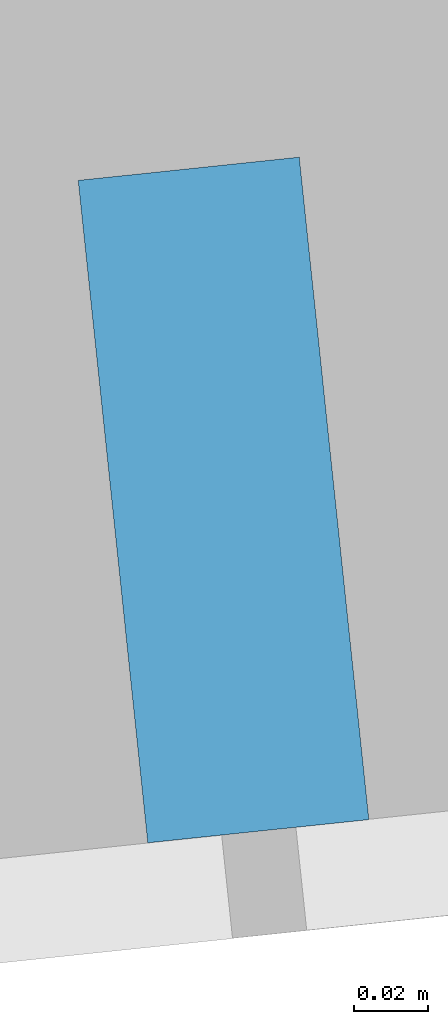
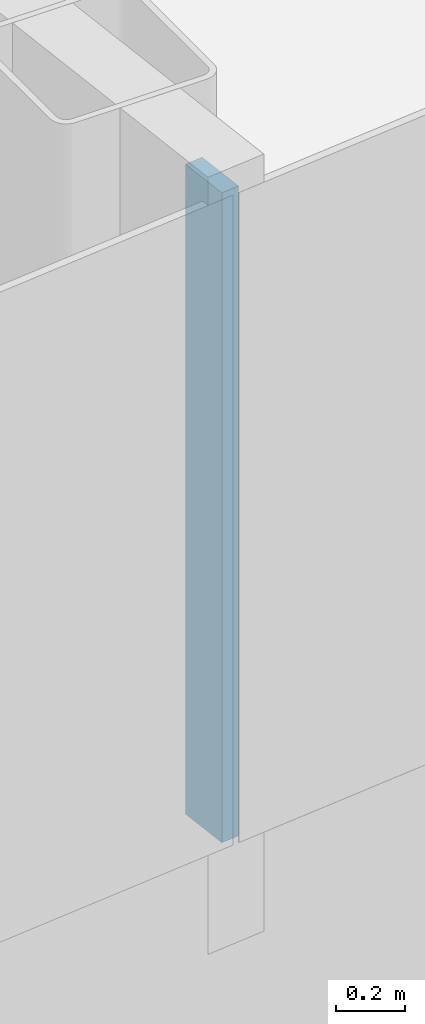
# One storey, part 5 of 27: 1 member, 1 element without a shape of its own.
"""IFC4 building model written with IfcOpenShell, lengths in metres."""

import ifcopenshell
import ifcopenshell.guid

model = None  # the IFC model being written
_history = None  # IfcOwnerHistory: only IFC2X3 demands one
_inside = {}  # id of a spatial element -> (the spatial element, [elements in it])
_under = {}  # id of a project, library or spatial element -> (it, [spatial elements below it])
_declared = {}  # id of a project -> (the project, [libraries it declares])
_typed = {}  # id of a type object -> (the type object, [elements of that type])
_made_of = {}  # id of a material, layer set ... -> (it, [elements and type objects made of it])


def new_model(schema):
    """Start an empty IFC model of exactly this schema.

    Asked for "IFC4X3", IfcOpenShell would pick the latest addendum, in which some entities
    have other attributes; the version numbers below select the first issue.
    IFC2X3 requires an IfcOwnerHistory on every rooted entity: one is made here for all.
    """
    global model, _history
    if schema == "IFC4X3":
        model = ifcopenshell.file(schema_version=(4, 3, 0, 0))
    else:
        model = ifcopenshell.file(schema=schema)
    _inside.clear()
    _under.clear()
    _declared.clear()
    _typed.clear()
    _made_of.clear()
    _history = None
    if model.schema == "IFC2X3":
        org = make("IfcOrganization", Name="unknown")
        user = make(
            "IfcPersonAndOrganization",
            ThePerson=make("IfcPerson", FamilyName="unknown"),
            TheOrganization=org,
        )
        app = make(
            "IfcApplication",
            ApplicationDeveloper=org,
            Version="unknown",
            ApplicationFullName="unknown",
            ApplicationIdentifier="unknown",
        )
        _history = make(
            "IfcOwnerHistory",
            OwningUser=user,
            OwningApplication=app,
            ChangeAction="ADDED",
            CreationDate=0,
        )
    return model


def make(cls, **values):
    """One entity of the class cls with the attributes given. An attribute that is None is left unset."""
    return model.create_entity(
        cls, **{name: value for name, value in values.items() if value is not None}
    )


def rooted(cls, **values):
    """An entity with a GlobalId (a new one), such as an element, a storey or a relation."""
    return make(cls, GlobalId=ifcopenshell.guid.new(), OwnerHistory=_history, **values)


def si_unit(unit_type, name, prefix=None):
    """IfcSIUnit, for example si_unit("LENGTHUNIT", "METRE", prefix="MILLI")."""
    return make("IfcSIUnit", UnitType=unit_type, Prefix=prefix, Name=name)


def assignment(units):
    """IfcUnitAssignment: the units of a project."""
    return None if units is None else make("IfcUnitAssignment", Units=units)


def point(xyz):
    """IfcCartesianPoint."""
    return None if xyz is None else make("IfcCartesianPoint", Coordinates=xyz)


def direction(xyz):
    """IfcDirection."""
    return None if xyz is None else make("IfcDirection", DirectionRatios=xyz)


def frame(location, z_axis=None, x_axis=None):
    """IfcAxis2Placement3D, a coordinate frame: its origin and axes. An axis left out is left unset."""
    return make(
        "IfcAxis2Placement3D",
        Location=point(location),
        Axis=direction(z_axis),
        RefDirection=direction(x_axis),
    )


def frame_2d(location, x_axis=None):
    """IfcAxis2Placement2D, a coordinate frame in the plane: its origin and x axis."""
    return make(
        "IfcAxis2Placement2D", Location=point(location), RefDirection=direction(x_axis)
    )


def origin():
    """The frame at (0, 0, 0) with its axes left unset."""
    return frame((0.0, 0.0, 0.0))


def origin_2d():
    """The frame at (0, 0) in the plane with its x axis left unset."""
    return frame_2d((0.0, 0.0))


def place(relative_to, where):
    """IfcLocalPlacement: puts the frame where relative to a parent placement (None: the world)."""
    return make(
        "IfcLocalPlacement", PlacementRelTo=relative_to, RelativePlacement=where
    )


def context(
    kind, dimensions, precision=None, world=None, true_north=None, identifier=None
):
    """IfcGeometricRepresentationContext, for example the 3D "Model" context."""
    return make(
        "IfcGeometricRepresentationContext",
        ContextIdentifier=identifier,
        ContextType=kind,
        CoordinateSpaceDimension=dimensions,
        Precision=precision,
        WorldCoordinateSystem=world,
        TrueNorth=true_north,
    )


def subcontext(parent, identifier, kind, view, scale=None):
    """IfcGeometricRepresentationSubContext, for example "Body" below "Model"."""
    return make(
        "IfcGeometricRepresentationSubContext",
        ContextIdentifier=identifier,
        ContextType=kind,
        ParentContext=parent,
        TargetScale=scale,
        TargetView=view,
    )


def project(units=None, contexts=None):
    """IfcProject with its units and contexts."""
    return rooted(
        "IfcProject",
        Name="project",
        RepresentationContexts=contexts,
        UnitsInContext=assignment(units),
    )


def spatial(cls, under=None, at=None, **own):
    """A site, building, storey or space (cls), placed at a placement, below another one or the project."""
    s = rooted(cls, ObjectPlacement=at, **own)
    if under is not None:
        _under.setdefault(under.id(), (under, []))[1].append(s)
    return s


def profile(cls, at=None, kind="AREA", **sizes):
    """A parametric profile (cls). Its sizes go by their IFC names, for example OverallWidth=200.0."""
    return make(cls, ProfileType=kind, Position=at, **sizes)


def rectangle(**sizes):
    """IfcRectangleProfileDef."""
    return profile("IfcRectangleProfileDef", **sizes)


def extrude(swept, where, along, depth):
    """IfcExtrudedAreaSolid: the profile swept, set in the frame where, extruded along a direction by depth."""
    return make(
        "IfcExtrudedAreaSolid",
        SweptArea=swept,
        Position=where,
        ExtrudedDirection=direction(along),
        Depth=depth,
    )


def shape(context_of_items, identifier, shape_type, items):
    """IfcShapeRepresentation: the items that make up one representation, for example the "Body"."""
    return make(
        "IfcShapeRepresentation",
        ContextOfItems=context_of_items,
        RepresentationIdentifier=identifier,
        RepresentationType=shape_type,
        Items=items,
    )


def material(Name=None, Category=None):
    """IfcMaterial."""
    return make("IfcMaterial", Name=Name, Category=Category)


def layer(
    of_material, thickness, ventilated=None, Name=None, Category=None, Priority=None
):
    """IfcMaterialLayer: one layer of a wall or slab, of a material (None: an air gap)."""
    return make(
        "IfcMaterialLayer",
        Material=of_material,
        LayerThickness=thickness,
        IsVentilated=ventilated,
        Name=Name,
        Category=Category,
        Priority=Priority,
    )


def layer_set(layers, Name=None):
    """IfcMaterialLayerSet."""
    return make("IfcMaterialLayerSet", MaterialLayers=layers, LayerSetName=Name)


def material_profile(
    of_material, cross_section, Name=None, Category=None, Priority=None
):
    """IfcMaterialProfile: a cross section and its material."""
    return make(
        "IfcMaterialProfile",
        Name=Name,
        Material=of_material,
        Profile=cross_section,
        Priority=Priority,
        Category=Category,
    )


def profile_set(profiles, Name=None, composite=None):
    """IfcMaterialProfileSet."""
    return make(
        "IfcMaterialProfileSet",
        Name=Name,
        MaterialProfiles=profiles,
        CompositeProfile=composite,
    )


def made_of(thing, what):
    """Note that an element or type object is made of a material, layer set ...; save() writes the relation."""
    if what is not None:
        _made_of.setdefault(what.id(), (what, []))[1].append(thing)
    return thing


def type_object(cls, material=None, **own):
    """A type object (cls), such as IfcWallType, which elements share."""
    return made_of(rooted(cls, **own), material)


def element(
    cls,
    number,
    at=None,
    inside=None,
    cuts=None,
    type_object=None,
    material=None,
    context=None,
    identifier="Body",
    shape_type=None,
    held_by="IfcProductDefinitionShape",
    body=None,
    shapes=None,
    **own,
):
    """One element of the class cls, such as IfcWall. Its Tag is "e" and its number.

    at: its placement. inside: the storey or other place that contains it. cuts: it is an
    opening in that element (IfcRelVoidsElement). A single representation is given by context,
    identifier, shape_type and body (its items); several are given by shapes. held_by: the class
    of the entity that holds the representations. save() writes the other relations.
    """
    e = rooted(cls, Tag="e%d" % number, ObjectPlacement=at, **own)
    if body is not None:
        shapes = [shape(context, identifier, shape_type, body)]
    if shapes is not None:
        e.Representation = make(held_by, Representations=shapes)
    if inside is not None:
        _inside.setdefault(inside.id(), (inside, []))[1].append(e)
    if cuts is not None:
        rooted(
            "IfcRelVoidsElement", RelatingBuildingElement=cuts, RelatedOpeningElement=e
        )
    if type_object is not None:
        _typed.setdefault(type_object.id(), (type_object, []))[1].append(e)
    return made_of(e, material)


def aggregate(whole, parts):
    """IfcRelAggregates: a whole, such as a stair, and the parts it consists of."""
    return rooted("IfcRelAggregates", RelatingObject=whole, RelatedObjects=parts)


def save(model, path):
    """Write the relations noted so far, then the file.

    IfcRelAggregates (storeys below a building ...), IfcRelContainedInSpatialStructure (elements
    in a storey), IfcRelDefinesByType, IfcRelAssociatesMaterial and IfcRelDeclares: one each for
    every whole, place, type object, material and project.
    """
    for whole, parts in _under.values():
        aggregate(whole, parts)
    for where, things in _inside.values():
        rooted(
            "IfcRelContainedInSpatialStructure",
            RelatedElements=things,
            RelatingStructure=where,
        )
    for kind, things in _typed.values():
        rooted("IfcRelDefinesByType", RelatedObjects=things, RelatingType=kind)
    for what, things in _made_of.values():
        rooted("IfcRelAssociatesMaterial", RelatedObjects=things, RelatingMaterial=what)
    for by, libraries in _declared.values():
        rooted("IfcRelDeclares", RelatingContext=by, RelatedDefinitions=libraries)
    model.write(path)


model = new_model("IFC4")

# Units and contexts
model_context = context("Model", 3, precision=1e-05, world=origin(), true_north=direction((0.0, 1.0)))
body_context = subcontext(model_context, "Body", "Model", "MODEL_VIEW")
ifc_project = project(units=[si_unit("LENGTHUNIT", "METRE"), si_unit("AREAUNIT", "SQUARE_METRE"), si_unit("VOLUMEUNIT", "CUBIC_METRE"), si_unit("PLANEANGLEUNIT", "RADIAN"), si_unit("MASSUNIT", "GRAM", prefix="KILO")], contexts=[model_context])

# Site, building, storey
site_placement = place(None, origin())
site = spatial("IfcSite", under=ifc_project, at=site_placement, CompositionType="ELEMENT")
building_placement = place(site_placement, origin())
building = spatial("IfcBuilding", under=site, at=building_placement, Name="Hakoniwa Tower and Hamabe Station Hall", CompositionType="ELEMENT")
storey_placement = place(building_placement, frame((0.0, 0.0, 242.199951171875)))
storey = spatial("IfcBuildingStorey", under=building, at=storey_placement, Name="L68", CompositionType="ELEMENT", Elevation=242.199951171875)

# Curtain wall, member
ifc_material_1 = material(Name="Dark low-e laminated glass", Category="glass")
ifc_layer = layer(ifc_material_1, 0.199951171875)
ifc_layer_set = layer_set([ifc_layer], Name="CW-1 UNITISED GUEST")
curtain_wall_type = type_object("IfcCurtainWallType", Name="CW-1 UNITISED GUEST", PredefinedType="NOTDEFINED", material=ifc_layer_set)
curtain_wall_placement = place(storey_placement, origin())
curtain_wall = element("IfcCurtainWall", 1, at=curtain_wall_placement, inside=storey, type_object=curtain_wall_type, Name="CW-1 curtain wall", PredefinedType="NOTDEFINED")
ifc_material_2 = material(Name="Aluminium 6063-T5 black anodised", Category="aluminium")
ifc_material_profile = material_profile(ifc_material_2, rectangle(XDim=0.06005859375, YDim=0.179931640625, at=origin_2d()), Name="CW-1 MULLION 60X180")
ifc_profile_set = profile_set([ifc_material_profile], Name="Aluminium 6063-T5 black anodised")
member_type = type_object("IfcMemberType", Name="CW-1 MULLION 60X180", PredefinedType="MULLION", material=ifc_profile_set)
member_placement = place(storey_placement, frame((1.7958984375, -14.587890625, 0.35009765625), z_axis=(0.0, 0.0, 1.0), x_axis=(0.994521895272, 0.104528464188, 0.0)))
member = element("IfcMember", 2, at=member_placement, type_object=member_type, Name="CW-1 mullion", PredefinedType="MULLION", context=body_context, shape_type="SweptSolid", body=[
    extrude(rectangle(XDim=0.06005859375, YDim=0.179931640625, at=origin_2d()), origin(), (0.0, 0.0, 1.0), 2.300048828125),
])
aggregate(curtain_wall, [member])

save(model, "model.ifc")
